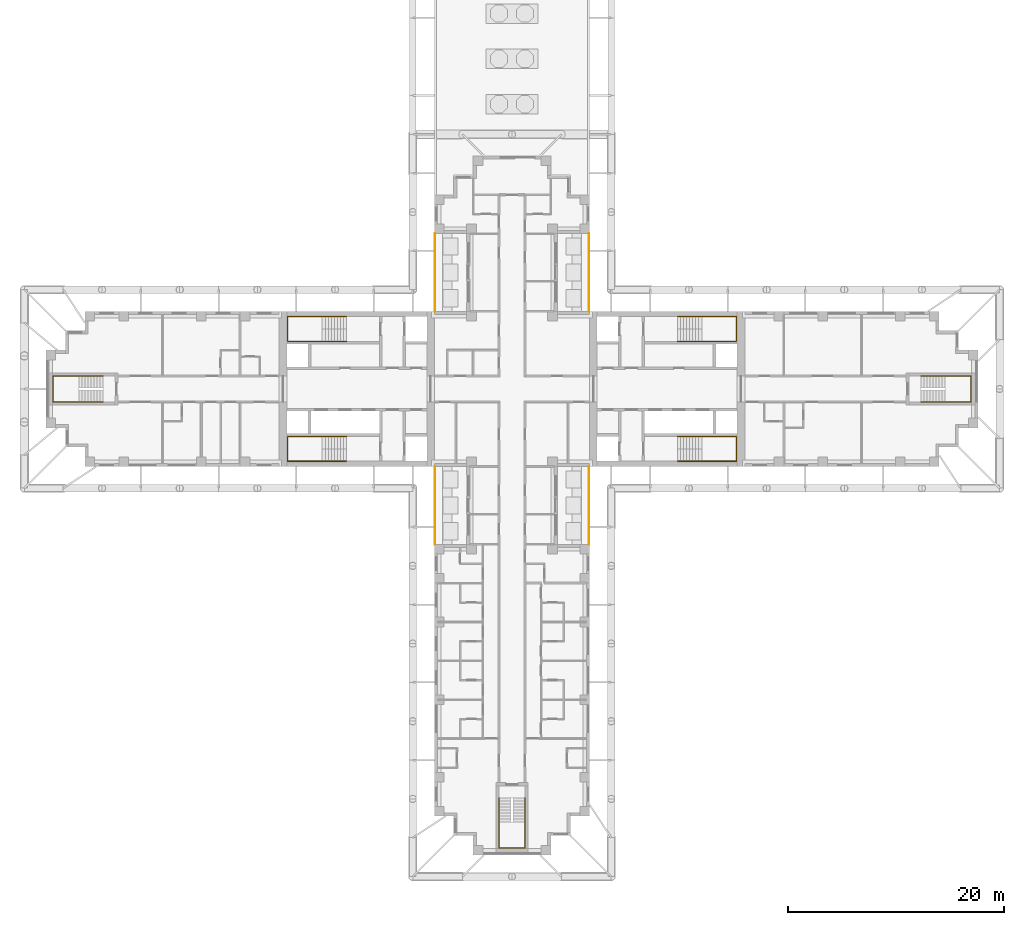
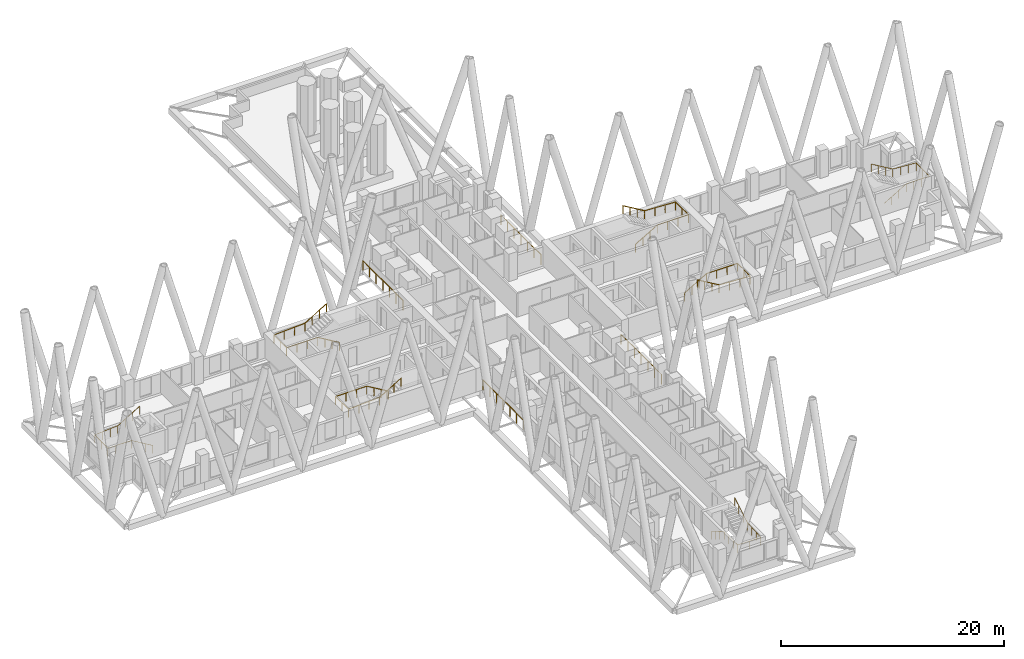
# One storey, part 15 of 16: 11 railings.
"""IFC4 building model written with IfcOpenShell, lengths in metres."""

from ifc_helpers import new_model, si_unit, direction, frame, origin, origin_2d, place, context, subcontext, project, spatial, circle, extrude, material, type_object, element, save


model = new_model("IFC4")

# Units and contexts
model_context = context("Model", 3, precision=1e-05, world=origin(), true_north=direction((0.0, 1.0)))
body_context = subcontext(model_context, "Body", "Model", "MODEL_VIEW")
ifc_project = project(units=[si_unit("LENGTHUNIT", "METRE"), si_unit("AREAUNIT", "SQUARE_METRE"), si_unit("VOLUMEUNIT", "CUBIC_METRE"), si_unit("PLANEANGLEUNIT", "RADIAN"), si_unit("MASSUNIT", "GRAM", prefix="KILO")], contexts=[model_context])

# Site, building, storey
site_placement = place(None, origin())
site = spatial("IfcSite", under=ifc_project, at=site_placement, CompositionType="ELEMENT")
building_placement = place(site_placement, origin())
building = spatial("IfcBuilding", under=site, at=building_placement, Name="Fustian Cross Tower", CompositionType="ELEMENT")
storey_placement = place(building_placement, frame((0.0, 0.0, 66.89990234375)))
storey = spatial("IfcBuildingStorey", under=building, at=storey_placement, Name="L20", CompositionType="ELEMENT", Elevation=66.89990234375)

# Railings
ifc_material_1 = material(Name="Stainless steel and glass", Category="steel")
railing_type_1 = type_object("IfcRailingType", Name="GR1 BALCONY GUARD 1100", PredefinedType="GUARDRAIL", material=ifc_material_1)
for number, where, name in (
    (1, (7.14990234375, 7.199951171875, 0.0), "Balcony guard"),
    (2, (-7.14990234375, 7.199951171875, 0.0), "Balcony guard"),
    (3, (7.14990234375, -14.39990234375, 0.0), "Balcony guard"),
    (4, (-7.14990234375, -14.39990234375, 0.0), "Balcony guard"),
):
    element("IfcRailing", number, at=place(storey_placement, frame(where)), inside=storey, type_object=railing_type_1, Name=name, PredefinedType="GUARDRAIL", context=body_context, shape_type="SweptSolid", body=[
        extrude(circle(Radius=0.02392578125, at=origin_2d()), frame((0.0, 0.0, 1.076171875), z_axis=(0.0, 1.0, 0.0), x_axis=(-1.0, 0.0, 0.0)), (0.0, 0.0, 1.0), 7.199951171875),
        extrude(circle(Radius=0.02099609375, at=origin_2d()), origin(), (0.0, 0.0, 1.0), 1.052001953125),
        extrude(circle(Radius=0.02099609375, at=origin_2d()), frame((0.0, 1.199951171875, 0.0)), (0.0, 0.0, 1.0), 1.052001953125),
        extrude(circle(Radius=0.02099609375, at=origin_2d()), frame((0.0, 2.39990234375, 0.0)), (0.0, 0.0, 1.0), 1.052001953125),
        extrude(circle(Radius=0.02099609375, at=origin_2d()), frame((0.0, 3.60009765625, 0.0)), (0.0, 0.0, 1.0), 1.052001953125),
        extrude(circle(Radius=0.02099609375, at=origin_2d()), frame((0.0, 4.800048828125, 0.0)), (0.0, 0.0, 1.0), 1.052001953125),
        extrude(circle(Radius=0.02099609375, at=origin_2d()), frame((0.0, 6.0, 0.0)), (0.0, 0.0, 1.0), 1.052001953125),
        extrude(circle(Radius=0.02099609375, at=origin_2d()), frame((0.0, 7.199951171875, 0.0)), (0.0, 0.0, 1.0), 1.052001953125),
    ])
ifc_material_2 = material(Name="Stainless steel", Category="steel")
railing_type_2 = type_object("IfcRailingType", Name="STAIR HANDRAIL", PredefinedType="HANDRAIL", material=ifc_material_2)
railing_1_placement = place(storey_placement, frame((15.35009765625, 4.39990234375, 0.166748046875)))
element("IfcRailing", 5, at=railing_1_placement, inside=storey, type_object=railing_type_2, Name="Stair ST1 handrail 1", PredefinedType="HANDRAIL", context=body_context, shape_type="SweptSolid", body=[
    extrude(circle(Radius=0.02490234375, at=origin_2d()), frame((0.0, 0.0, 0.875), z_axis=(0.859305625298, 0.0, 0.511462454469), x_axis=(0.0, 1.0, 0.0)), (0.0, 0.0, 1.0), 2.606689453125),
    extrude(circle(Radius=0.02490234375, at=origin_2d()), frame((2.239990234375, 0.0, 2.2080078125), z_axis=(1.0, 0.0, 0.0), x_axis=(0.0, 1.0, 0.0)), (0.0, 0.0, 1.0), 3.219970703125),
    extrude(circle(Radius=0.02490234375, at=origin_2d()), frame((5.4599609375, 0.0, 2.2080078125), z_axis=(0.0, 1.0, 0.0), x_axis=(-1.0, 0.0, 0.0)), (0.0, 0.0, 1.0), 2.300048828125),
    extrude(circle(Radius=0.02490234375, at=origin_2d()), frame((5.4599609375, 2.300048828125, 2.2080078125), z_axis=(-0.998661817807, 0.0, 0.051716280352), x_axis=(0.0, -1.0, 0.0)), (0.0, 0.0, 1.0), 3.224365234375),
    extrude(circle(Radius=0.02490234375, at=origin_2d()), frame((2.239990234375, 2.300048828125, 2.375), z_axis=(-0.859305625298, 0.0, 0.511462454469), x_axis=(0.0, -1.0, 0.0)), (0.0, 0.0, 1.0), 2.606689453125),
    extrude(circle(Radius=0.02001953125, at=origin_2d()), origin(), (0.0, 0.0, 1.0), 0.849853515625),
    extrude(circle(Radius=0.02001953125, at=origin_2d()), frame((0.74658203125, 0.0, 0.4443359375)), (0.0, 0.0, 1.0), 0.849853515625),
    extrude(circle(Radius=0.02001953125, at=origin_2d()), frame((1.493408203125, 0.0, 0.888916015625)), (0.0, 0.0, 1.0), 0.849853515625),
    extrude(circle(Radius=0.02001953125, at=origin_2d()), frame((2.239990234375, 0.0, 1.333251953125)), (0.0, 0.0, 1.0), 0.849853515625),
    extrude(circle(Radius=0.02001953125, at=origin_2d()), frame((3.313232421875, 0.0, 1.333251953125)), (0.0, 0.0, 1.0), 0.849853515625),
    extrude(circle(Radius=0.02001953125, at=origin_2d()), frame((4.38671875, 0.0, 1.333251953125)), (0.0, 0.0, 1.0), 0.849853515625),
    extrude(circle(Radius=0.02001953125, at=origin_2d()), frame((5.4599609375, 0.0, 1.333251953125)), (0.0, 0.0, 1.0), 0.849853515625),
    extrude(circle(Radius=0.02001953125, at=origin_2d()), frame((5.4599609375, 1.14990234375, 1.333251953125)), (0.0, 0.0, 1.0), 0.849853515625),
    extrude(circle(Radius=0.02001953125, at=origin_2d()), frame((5.4599609375, 2.300048828125, 1.333251953125)), (0.0, 0.0, 1.0), 0.849853515625),
    extrude(circle(Radius=0.02001953125, at=origin_2d()), frame((4.38671875, 2.300048828125, 1.388916015625)), (0.0, 0.0, 1.0), 0.849853515625),
    extrude(circle(Radius=0.02001953125, at=origin_2d()), frame((3.313232421875, 2.300048828125, 1.4443359375)), (0.0, 0.0, 1.0), 0.849853515625),
    extrude(circle(Radius=0.02001953125, at=origin_2d()), frame((2.239990234375, 2.300048828125, 1.5)), (0.0, 0.0, 1.0), 0.849853515625),
    extrude(circle(Radius=0.02001953125, at=origin_2d()), frame((1.493408203125, 2.300048828125, 1.9443359375)), (0.0, 0.0, 1.0), 0.849853515625),
    extrude(circle(Radius=0.02001953125, at=origin_2d()), frame((0.74658203125, 2.300048828125, 2.388916015625)), (0.0, 0.0, 1.0), 0.849853515625),
    extrude(circle(Radius=0.02001953125, at=origin_2d()), frame((0.0, 2.300048828125, 2.833251953125)), (0.0, 0.0, 1.0), 0.849853515625),
])
railing_2_placement = place(storey_placement, frame((15.35009765625, -4.39990234375, 0.166748046875)))
element("IfcRailing", 6, at=railing_2_placement, inside=storey, type_object=railing_type_2, Name="Stair ST2 handrail 1", PredefinedType="HANDRAIL", context=body_context, shape_type="SweptSolid", body=[
    extrude(circle(Radius=0.02490234375, at=origin_2d()), frame((0.0, 0.0, 0.875), z_axis=(0.859305625298, 0.0, 0.511462454469), x_axis=(0.0, 1.0, 0.0)), (0.0, 0.0, 1.0), 2.606689453125),
    extrude(circle(Radius=0.02490234375, at=origin_2d()), frame((2.239990234375, 0.0, 2.2080078125), z_axis=(1.0, 0.0, 0.0), x_axis=(0.0, 1.0, 0.0)), (0.0, 0.0, 1.0), 3.219970703125),
    extrude(circle(Radius=0.02490234375, at=origin_2d()), frame((5.4599609375, 0.0, 2.2080078125), z_axis=(0.0, -1.0, 0.0), x_axis=(1.0, 0.0, 0.0)), (0.0, 0.0, 1.0), 2.300048828125),
    extrude(circle(Radius=0.02490234375, at=origin_2d()), frame((5.4599609375, -2.300048828125, 2.2080078125), z_axis=(-0.998661817807, 0.0, 0.051716280352), x_axis=(0.0, -1.0, 0.0)), (0.0, 0.0, 1.0), 3.224365234375),
    extrude(circle(Radius=0.02490234375, at=origin_2d()), frame((2.239990234375, -2.300048828125, 2.375), z_axis=(-0.859305625298, 0.0, 0.511462454469), x_axis=(0.0, -1.0, 0.0)), (0.0, 0.0, 1.0), 2.606689453125),
    extrude(circle(Radius=0.02001953125, at=origin_2d()), origin(), (0.0, 0.0, 1.0), 0.849853515625),
    extrude(circle(Radius=0.02001953125, at=origin_2d()), frame((0.74658203125, 0.0, 0.4443359375)), (0.0, 0.0, 1.0), 0.849853515625),
    extrude(circle(Radius=0.02001953125, at=origin_2d()), frame((1.493408203125, 0.0, 0.888916015625)), (0.0, 0.0, 1.0), 0.849853515625),
    extrude(circle(Radius=0.02001953125, at=origin_2d()), frame((2.239990234375, 0.0, 1.333251953125)), (0.0, 0.0, 1.0), 0.849853515625),
    extrude(circle(Radius=0.02001953125, at=origin_2d()), frame((3.313232421875, 0.0, 1.333251953125)), (0.0, 0.0, 1.0), 0.849853515625),
    extrude(circle(Radius=0.02001953125, at=origin_2d()), frame((4.38671875, 0.0, 1.333251953125)), (0.0, 0.0, 1.0), 0.849853515625),
    extrude(circle(Radius=0.02001953125, at=origin_2d()), frame((5.4599609375, 0.0, 1.333251953125)), (0.0, 0.0, 1.0), 0.849853515625),
    extrude(circle(Radius=0.02001953125, at=origin_2d()), frame((5.4599609375, -1.14990234375, 1.333251953125)), (0.0, 0.0, 1.0), 0.849853515625),
    extrude(circle(Radius=0.02001953125, at=origin_2d()), frame((5.4599609375, -2.300048828125, 1.333251953125)), (0.0, 0.0, 1.0), 0.849853515625),
    extrude(circle(Radius=0.02001953125, at=origin_2d()), frame((4.38671875, -2.300048828125, 1.388916015625)), (0.0, 0.0, 1.0), 0.849853515625),
    extrude(circle(Radius=0.02001953125, at=origin_2d()), frame((3.313232421875, -2.300048828125, 1.4443359375)), (0.0, 0.0, 1.0), 0.849853515625),
    extrude(circle(Radius=0.02001953125, at=origin_2d()), frame((2.239990234375, -2.300048828125, 1.5)), (0.0, 0.0, 1.0), 0.849853515625),
    extrude(circle(Radius=0.02001953125, at=origin_2d()), frame((1.493408203125, -2.300048828125, 1.9443359375)), (0.0, 0.0, 1.0), 0.849853515625),
    extrude(circle(Radius=0.02001953125, at=origin_2d()), frame((0.74658203125, -2.300048828125, 2.388916015625)), (0.0, 0.0, 1.0), 0.849853515625),
    extrude(circle(Radius=0.02001953125, at=origin_2d()), frame((0.0, -2.300048828125, 2.833251953125)), (0.0, 0.0, 1.0), 0.849853515625),
])
railing_3_placement = place(storey_placement, frame((-15.35009765625, 4.39990234375, 0.166748046875)))
element("IfcRailing", 7, at=railing_3_placement, inside=storey, type_object=railing_type_2, Name="Stair ST3 handrail 1", PredefinedType="HANDRAIL", context=body_context, shape_type="SweptSolid", body=[
    extrude(circle(Radius=0.02490234375, at=origin_2d()), frame((0.0, 0.0, 0.875), z_axis=(-0.859305625298, 0.0, 0.511462454469), x_axis=(0.0, -1.0, 0.0)), (0.0, 0.0, 1.0), 2.606689453125),
    extrude(circle(Radius=0.02490234375, at=origin_2d()), frame((-2.239990234375, 0.0, 2.2080078125), z_axis=(-1.0, 0.0, 0.0), x_axis=(0.0, -1.0, 0.0)), (0.0, 0.0, 1.0), 3.219970703125),
    extrude(circle(Radius=0.02490234375, at=origin_2d()), frame((-5.4599609375, 0.0, 2.2080078125), z_axis=(0.0, 1.0, 0.0), x_axis=(-1.0, 0.0, 0.0)), (0.0, 0.0, 1.0), 2.300048828125),
    extrude(circle(Radius=0.02490234375, at=origin_2d()), frame((-5.4599609375, 2.300048828125, 2.2080078125), z_axis=(0.998661817807, 0.0, 0.051716280352), x_axis=(0.0, 1.0, 0.0)), (0.0, 0.0, 1.0), 3.224365234375),
    extrude(circle(Radius=0.02490234375, at=origin_2d()), frame((-2.239990234375, 2.300048828125, 2.375), z_axis=(0.859305625298, 0.0, 0.511462454469), x_axis=(0.0, 1.0, 0.0)), (0.0, 0.0, 1.0), 2.606689453125),
    extrude(circle(Radius=0.02001953125, at=origin_2d()), origin(), (0.0, 0.0, 1.0), 0.849853515625),
    extrude(circle(Radius=0.02001953125, at=origin_2d()), frame((-0.74658203125, 0.0, 0.4443359375)), (0.0, 0.0, 1.0), 0.849853515625),
    extrude(circle(Radius=0.02001953125, at=origin_2d()), frame((-1.493408203125, 0.0, 0.888916015625)), (0.0, 0.0, 1.0), 0.849853515625),
    extrude(circle(Radius=0.02001953125, at=origin_2d()), frame((-2.239990234375, 0.0, 1.333251953125)), (0.0, 0.0, 1.0), 0.849853515625),
    extrude(circle(Radius=0.02001953125, at=origin_2d()), frame((-3.313232421875, 0.0, 1.333251953125)), (0.0, 0.0, 1.0), 0.849853515625),
    extrude(circle(Radius=0.02001953125, at=origin_2d()), frame((-4.38671875, 0.0, 1.333251953125)), (0.0, 0.0, 1.0), 0.849853515625),
    extrude(circle(Radius=0.02001953125, at=origin_2d()), frame((-5.4599609375, 0.0, 1.333251953125)), (0.0, 0.0, 1.0), 0.849853515625),
    extrude(circle(Radius=0.02001953125, at=origin_2d()), frame((-5.4599609375, 1.14990234375, 1.333251953125)), (0.0, 0.0, 1.0), 0.849853515625),
    extrude(circle(Radius=0.02001953125, at=origin_2d()), frame((-5.4599609375, 2.300048828125, 1.333251953125)), (0.0, 0.0, 1.0), 0.849853515625),
    extrude(circle(Radius=0.02001953125, at=origin_2d()), frame((-4.38671875, 2.300048828125, 1.388916015625)), (0.0, 0.0, 1.0), 0.849853515625),
    extrude(circle(Radius=0.02001953125, at=origin_2d()), frame((-3.313232421875, 2.300048828125, 1.4443359375)), (0.0, 0.0, 1.0), 0.849853515625),
    extrude(circle(Radius=0.02001953125, at=origin_2d()), frame((-2.239990234375, 2.300048828125, 1.5)), (0.0, 0.0, 1.0), 0.849853515625),
    extrude(circle(Radius=0.02001953125, at=origin_2d()), frame((-1.493408203125, 2.300048828125, 1.9443359375)), (0.0, 0.0, 1.0), 0.849853515625),
    extrude(circle(Radius=0.02001953125, at=origin_2d()), frame((-0.74658203125, 2.300048828125, 2.388916015625)), (0.0, 0.0, 1.0), 0.849853515625),
    extrude(circle(Radius=0.02001953125, at=origin_2d()), frame((0.0, 2.300048828125, 2.833251953125)), (0.0, 0.0, 1.0), 0.849853515625),
])
railing_4_placement = place(storey_placement, frame((-15.35009765625, -4.39990234375, 0.166748046875)))
element("IfcRailing", 8, at=railing_4_placement, inside=storey, type_object=railing_type_2, Name="Stair ST4 handrail 1", PredefinedType="HANDRAIL", context=body_context, shape_type="SweptSolid", body=[
    extrude(circle(Radius=0.02490234375, at=origin_2d()), frame((0.0, 0.0, 0.875), z_axis=(-0.859305625298, 0.0, 0.511462454469), x_axis=(0.0, -1.0, 0.0)), (0.0, 0.0, 1.0), 2.606689453125),
    extrude(circle(Radius=0.02490234375, at=origin_2d()), frame((-2.239990234375, 0.0, 2.2080078125), z_axis=(-1.0, 0.0, 0.0), x_axis=(0.0, -1.0, 0.0)), (0.0, 0.0, 1.0), 3.219970703125),
    extrude(circle(Radius=0.02490234375, at=origin_2d()), frame((-5.4599609375, 0.0, 2.2080078125), z_axis=(0.0, -1.0, 0.0), x_axis=(1.0, 0.0, 0.0)), (0.0, 0.0, 1.0), 2.300048828125),
    extrude(circle(Radius=0.02490234375, at=origin_2d()), frame((-5.4599609375, -2.300048828125, 2.2080078125), z_axis=(0.998661817807, 0.0, 0.051716280352), x_axis=(0.0, 1.0, 0.0)), (0.0, 0.0, 1.0), 3.224365234375),
    extrude(circle(Radius=0.02490234375, at=origin_2d()), frame((-2.239990234375, -2.300048828125, 2.375), z_axis=(0.859305625298, 0.0, 0.511462454469), x_axis=(0.0, 1.0, 0.0)), (0.0, 0.0, 1.0), 2.606689453125),
    extrude(circle(Radius=0.02001953125, at=origin_2d()), origin(), (0.0, 0.0, 1.0), 0.849853515625),
    extrude(circle(Radius=0.02001953125, at=origin_2d()), frame((-0.74658203125, 0.0, 0.4443359375)), (0.0, 0.0, 1.0), 0.849853515625),
    extrude(circle(Radius=0.02001953125, at=origin_2d()), frame((-1.493408203125, 0.0, 0.888916015625)), (0.0, 0.0, 1.0), 0.849853515625),
    extrude(circle(Radius=0.02001953125, at=origin_2d()), frame((-2.239990234375, 0.0, 1.333251953125)), (0.0, 0.0, 1.0), 0.849853515625),
    extrude(circle(Radius=0.02001953125, at=origin_2d()), frame((-3.313232421875, 0.0, 1.333251953125)), (0.0, 0.0, 1.0), 0.849853515625),
    extrude(circle(Radius=0.02001953125, at=origin_2d()), frame((-4.38671875, 0.0, 1.333251953125)), (0.0, 0.0, 1.0), 0.849853515625),
    extrude(circle(Radius=0.02001953125, at=origin_2d()), frame((-5.4599609375, 0.0, 1.333251953125)), (0.0, 0.0, 1.0), 0.849853515625),
    extrude(circle(Radius=0.02001953125, at=origin_2d()), frame((-5.4599609375, -1.14990234375, 1.333251953125)), (0.0, 0.0, 1.0), 0.849853515625),
    extrude(circle(Radius=0.02001953125, at=origin_2d()), frame((-5.4599609375, -2.300048828125, 1.333251953125)), (0.0, 0.0, 1.0), 0.849853515625),
    extrude(circle(Radius=0.02001953125, at=origin_2d()), frame((-4.38671875, -2.300048828125, 1.388916015625)), (0.0, 0.0, 1.0), 0.849853515625),
    extrude(circle(Radius=0.02001953125, at=origin_2d()), frame((-3.313232421875, -2.300048828125, 1.4443359375)), (0.0, 0.0, 1.0), 0.849853515625),
    extrude(circle(Radius=0.02001953125, at=origin_2d()), frame((-2.239990234375, -2.300048828125, 1.5)), (0.0, 0.0, 1.0), 0.849853515625),
    extrude(circle(Radius=0.02001953125, at=origin_2d()), frame((-1.493408203125, -2.300048828125, 1.9443359375)), (0.0, 0.0, 1.0), 0.849853515625),
    extrude(circle(Radius=0.02001953125, at=origin_2d()), frame((-0.74658203125, -2.300048828125, 2.388916015625)), (0.0, 0.0, 1.0), 0.849853515625),
    extrude(circle(Radius=0.02001953125, at=origin_2d()), frame((0.0, -2.300048828125, 2.833251953125)), (0.0, 0.0, 1.0), 0.849853515625),
])
railing_5_placement = place(storey_placement, frame((-1.199951171875, -37.89990234375, 0.166748046875)))
element("IfcRailing", 9, at=railing_5_placement, inside=storey, type_object=railing_type_2, Name="Stair ST6 handrail 1", PredefinedType="HANDRAIL", context=body_context, shape_type="SweptSolid", body=[
    extrude(circle(Radius=0.02490234375, at=origin_2d()), frame((0.0, 0.0, 0.875), z_axis=(0.0, -0.859305625298, 0.511462454469), x_axis=(1.0, 0.0, 0.0)), (0.0, 0.0, 1.0), 2.606689453125),
    extrude(circle(Radius=0.02490234375, at=origin_2d()), frame((0.0, -2.239990234375, 2.2080078125), z_axis=(0.0, -1.0, 0.0), x_axis=(1.0, 0.0, 0.0)), (0.0, 0.0, 1.0), 2.420166015625),
    extrude(circle(Radius=0.02490234375, at=origin_2d()), frame((0.0, -4.66015625, 2.2080078125), z_axis=(1.0, 0.0, 0.0), x_axis=(0.0, 1.0, 0.0)), (0.0, 0.0, 1.0), 2.39990234375),
    extrude(circle(Radius=0.02490234375, at=origin_2d()), frame((2.39990234375, -4.66015625, 2.2080078125), z_axis=(0.0, 0.997634852044, 0.068736467663), x_axis=(-1.0, 0.0, 0.0)), (0.0, 0.0, 1.0), 2.426025390625),
    extrude(circle(Radius=0.02490234375, at=origin_2d()), frame((2.39990234375, -2.239990234375, 2.375), z_axis=(0.0, 0.859305625298, 0.511462454469), x_axis=(-1.0, 0.0, 0.0)), (0.0, 0.0, 1.0), 2.606689453125),
    extrude(circle(Radius=0.02001953125, at=origin_2d()), origin(), (0.0, 0.0, 1.0), 0.849853515625),
    extrude(circle(Radius=0.02001953125, at=origin_2d()), frame((0.0, -0.74658203125, 0.4443359375)), (0.0, 0.0, 1.0), 0.849853515625),
    extrude(circle(Radius=0.02001953125, at=origin_2d()), frame((0.0, -1.493408203125, 0.888916015625)), (0.0, 0.0, 1.0), 0.849853515625),
    extrude(circle(Radius=0.02001953125, at=origin_2d()), frame((0.0, -2.239990234375, 1.333251953125)), (0.0, 0.0, 1.0), 0.849853515625),
    extrude(circle(Radius=0.02001953125, at=origin_2d()), frame((0.0, -3.046630859375, 1.333251953125)), (0.0, 0.0, 1.0), 0.849853515625),
    extrude(circle(Radius=0.02001953125, at=origin_2d()), frame((0.0, -3.853515625, 1.333251953125)), (0.0, 0.0, 1.0), 0.849853515625),
    extrude(circle(Radius=0.02001953125, at=origin_2d()), frame((0.0, -4.66015625, 1.333251953125)), (0.0, 0.0, 1.0), 0.849853515625),
    extrude(circle(Radius=0.02001953125, at=origin_2d()), frame((1.199951171875, -4.66015625, 1.333251953125)), (0.0, 0.0, 1.0), 0.849853515625),
    extrude(circle(Radius=0.02001953125, at=origin_2d()), frame((2.39990234375, -4.66015625, 1.333251953125)), (0.0, 0.0, 1.0), 0.849853515625),
    extrude(circle(Radius=0.02001953125, at=origin_2d()), frame((2.39990234375, -3.853515625, 1.388916015625)), (0.0, 0.0, 1.0), 0.849853515625),
    extrude(circle(Radius=0.02001953125, at=origin_2d()), frame((2.39990234375, -3.046630859375, 1.4443359375)), (0.0, 0.0, 1.0), 0.849853515625),
    extrude(circle(Radius=0.02001953125, at=origin_2d()), frame((2.39990234375, -2.239990234375, 1.5)), (0.0, 0.0, 1.0), 0.849853515625),
    extrude(circle(Radius=0.02001953125, at=origin_2d()), frame((2.39990234375, -1.493408203125, 1.9443359375)), (0.0, 0.0, 1.0), 0.849853515625),
    extrude(circle(Radius=0.02001953125, at=origin_2d()), frame((2.39990234375, -0.74658203125, 2.388916015625)), (0.0, 0.0, 1.0), 0.849853515625),
    extrude(circle(Radius=0.02001953125, at=origin_2d()), frame((2.39990234375, 0.0, 2.833251953125)), (0.0, 0.0, 1.0), 0.849853515625),
])
railing_6_placement = place(storey_placement, frame((37.89990234375, -1.199951171875, 0.166748046875)))
element("IfcRailing", 10, at=railing_6_placement, inside=storey, type_object=railing_type_2, Name="Stair ST8 handrail 1", PredefinedType="HANDRAIL", context=body_context, shape_type="SweptSolid", body=[
    extrude(circle(Radius=0.02490234375, at=origin_2d()), frame((0.0, 0.0, 0.875), z_axis=(0.859305625298, 0.0, 0.511462454469), x_axis=(0.0, 1.0, 0.0)), (0.0, 0.0, 1.0), 2.606689453125),
    extrude(circle(Radius=0.02490234375, at=origin_2d()), frame((2.239990234375, 0.0, 2.2080078125), z_axis=(1.0, 0.0, 0.0), x_axis=(0.0, 1.0, 0.0)), (0.0, 0.0, 1.0), 2.420166015625),
    extrude(circle(Radius=0.02490234375, at=origin_2d()), frame((4.66015625, 0.0, 2.2080078125), z_axis=(0.0, 1.0, 0.0), x_axis=(-1.0, 0.0, 0.0)), (0.0, 0.0, 1.0), 2.39990234375),
    extrude(circle(Radius=0.02490234375, at=origin_2d()), frame((4.66015625, 2.39990234375, 2.2080078125), z_axis=(-0.997634852044, 0.0, 0.068736467663), x_axis=(0.0, -1.0, 0.0)), (0.0, 0.0, 1.0), 2.426025390625),
    extrude(circle(Radius=0.02490234375, at=origin_2d()), frame((2.239990234375, 2.39990234375, 2.375), z_axis=(-0.859305625298, 0.0, 0.511462454469), x_axis=(0.0, -1.0, 0.0)), (0.0, 0.0, 1.0), 2.606689453125),
    extrude(circle(Radius=0.02001953125, at=origin_2d()), origin(), (0.0, 0.0, 1.0), 0.849853515625),
    extrude(circle(Radius=0.02001953125, at=origin_2d()), frame((0.74658203125, 0.0, 0.4443359375)), (0.0, 0.0, 1.0), 0.849853515625),
    extrude(circle(Radius=0.02001953125, at=origin_2d()), frame((1.493408203125, 0.0, 0.888916015625)), (0.0, 0.0, 1.0), 0.849853515625),
    extrude(circle(Radius=0.02001953125, at=origin_2d()), frame((2.239990234375, 0.0, 1.333251953125)), (0.0, 0.0, 1.0), 0.849853515625),
    extrude(circle(Radius=0.02001953125, at=origin_2d()), frame((3.046630859375, 0.0, 1.333251953125)), (0.0, 0.0, 1.0), 0.849853515625),
    extrude(circle(Radius=0.02001953125, at=origin_2d()), frame((3.853515625, 0.0, 1.333251953125)), (0.0, 0.0, 1.0), 0.849853515625),
    extrude(circle(Radius=0.02001953125, at=origin_2d()), frame((4.66015625, 0.0, 1.333251953125)), (0.0, 0.0, 1.0), 0.849853515625),
    extrude(circle(Radius=0.02001953125, at=origin_2d()), frame((4.66015625, 1.199951171875, 1.333251953125)), (0.0, 0.0, 1.0), 0.849853515625),
    extrude(circle(Radius=0.02001953125, at=origin_2d()), frame((4.66015625, 2.39990234375, 1.333251953125)), (0.0, 0.0, 1.0), 0.849853515625),
    extrude(circle(Radius=0.02001953125, at=origin_2d()), frame((3.853515625, 2.39990234375, 1.388916015625)), (0.0, 0.0, 1.0), 0.849853515625),
    extrude(circle(Radius=0.02001953125, at=origin_2d()), frame((3.046630859375, 2.39990234375, 1.4443359375)), (0.0, 0.0, 1.0), 0.849853515625),
    extrude(circle(Radius=0.02001953125, at=origin_2d()), frame((2.239990234375, 2.39990234375, 1.5)), (0.0, 0.0, 1.0), 0.849853515625),
    extrude(circle(Radius=0.02001953125, at=origin_2d()), frame((1.493408203125, 2.39990234375, 1.9443359375)), (0.0, 0.0, 1.0), 0.849853515625),
    extrude(circle(Radius=0.02001953125, at=origin_2d()), frame((0.74658203125, 2.39990234375, 2.388916015625)), (0.0, 0.0, 1.0), 0.849853515625),
    extrude(circle(Radius=0.02001953125, at=origin_2d()), frame((0.0, 2.39990234375, 2.833251953125)), (0.0, 0.0, 1.0), 0.849853515625),
])
railing_7_placement = place(storey_placement, frame((-37.89990234375, -1.199951171875, 0.166748046875)))
element("IfcRailing", 11, at=railing_7_placement, inside=storey, type_object=railing_type_2, Name="Stair ST9 handrail 1", PredefinedType="HANDRAIL", context=body_context, shape_type="SweptSolid", body=[
    extrude(circle(Radius=0.02490234375, at=origin_2d()), frame((0.0, 0.0, 0.875), z_axis=(-0.859305625298, 0.0, 0.511462454469), x_axis=(0.0, -1.0, 0.0)), (0.0, 0.0, 1.0), 2.606689453125),
    extrude(circle(Radius=0.02490234375, at=origin_2d()), frame((-2.239990234375, 0.0, 2.2080078125), z_axis=(-1.0, 0.0, 0.0), x_axis=(0.0, -1.0, 0.0)), (0.0, 0.0, 1.0), 2.420166015625),
    extrude(circle(Radius=0.02490234375, at=origin_2d()), frame((-4.66015625, 0.0, 2.2080078125), z_axis=(0.0, 1.0, 0.0), x_axis=(-1.0, 0.0, 0.0)), (0.0, 0.0, 1.0), 2.39990234375),
    extrude(circle(Radius=0.02490234375, at=origin_2d()), frame((-4.66015625, 2.39990234375, 2.2080078125), z_axis=(0.997634852044, 0.0, 0.068736467663), x_axis=(0.0, 1.0, 0.0)), (0.0, 0.0, 1.0), 2.426025390625),
    extrude(circle(Radius=0.02490234375, at=origin_2d()), frame((-2.239990234375, 2.39990234375, 2.375), z_axis=(0.859305625298, 0.0, 0.511462454469), x_axis=(0.0, 1.0, 0.0)), (0.0, 0.0, 1.0), 2.606689453125),
    extrude(circle(Radius=0.02001953125, at=origin_2d()), origin(), (0.0, 0.0, 1.0), 0.849853515625),
    extrude(circle(Radius=0.02001953125, at=origin_2d()), frame((-0.74658203125, 0.0, 0.4443359375)), (0.0, 0.0, 1.0), 0.849853515625),
    extrude(circle(Radius=0.02001953125, at=origin_2d()), frame((-1.493408203125, 0.0, 0.888916015625)), (0.0, 0.0, 1.0), 0.849853515625),
    extrude(circle(Radius=0.02001953125, at=origin_2d()), frame((-2.239990234375, 0.0, 1.333251953125)), (0.0, 0.0, 1.0), 0.849853515625),
    extrude(circle(Radius=0.02001953125, at=origin_2d()), frame((-3.046630859375, 0.0, 1.333251953125)), (0.0, 0.0, 1.0), 0.849853515625),
    extrude(circle(Radius=0.02001953125, at=origin_2d()), frame((-3.853515625, 0.0, 1.333251953125)), (0.0, 0.0, 1.0), 0.849853515625),
    extrude(circle(Radius=0.02001953125, at=origin_2d()), frame((-4.66015625, 0.0, 1.333251953125)), (0.0, 0.0, 1.0), 0.849853515625),
    extrude(circle(Radius=0.02001953125, at=origin_2d()), frame((-4.66015625, 1.199951171875, 1.333251953125)), (0.0, 0.0, 1.0), 0.849853515625),
    extrude(circle(Radius=0.02001953125, at=origin_2d()), frame((-4.66015625, 2.39990234375, 1.333251953125)), (0.0, 0.0, 1.0), 0.849853515625),
    extrude(circle(Radius=0.02001953125, at=origin_2d()), frame((-3.853515625, 2.39990234375, 1.388916015625)), (0.0, 0.0, 1.0), 0.849853515625),
    extrude(circle(Radius=0.02001953125, at=origin_2d()), frame((-3.046630859375, 2.39990234375, 1.4443359375)), (0.0, 0.0, 1.0), 0.849853515625),
    extrude(circle(Radius=0.02001953125, at=origin_2d()), frame((-2.239990234375, 2.39990234375, 1.5)), (0.0, 0.0, 1.0), 0.849853515625),
    extrude(circle(Radius=0.02001953125, at=origin_2d()), frame((-1.493408203125, 2.39990234375, 1.9443359375)), (0.0, 0.0, 1.0), 0.849853515625),
    extrude(circle(Radius=0.02001953125, at=origin_2d()), frame((-0.74658203125, 2.39990234375, 2.388916015625)), (0.0, 0.0, 1.0), 0.849853515625),
    extrude(circle(Radius=0.02001953125, at=origin_2d()), frame((0.0, 2.39990234375, 2.833251953125)), (0.0, 0.0, 1.0), 0.849853515625),
])

save(model, "model.ifc")
